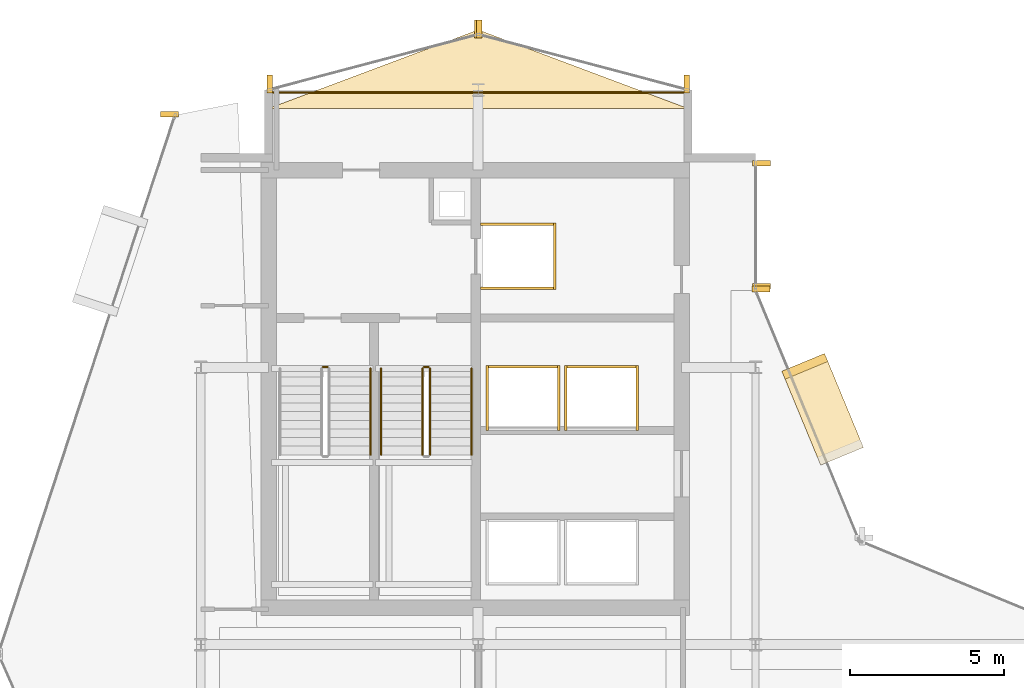
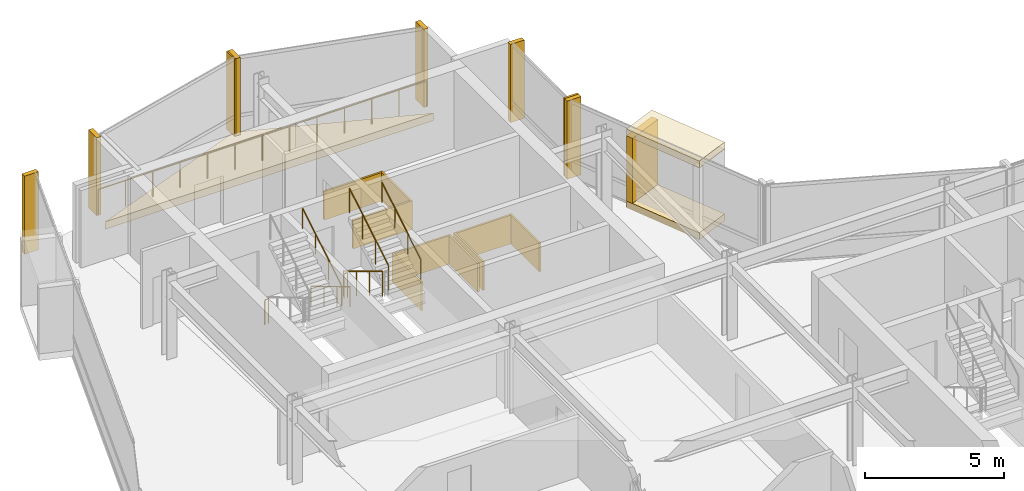
# One storey, part 27 of 27: 21 coverings, 8 railings.
"""IFC4 building model written with IfcOpenShell, lengths in metres."""

from ifc_helpers import new_model, si_unit, direction, frame, origin, origin_2d, place, context, subcontext, project, spatial, polyline, rectangle, circle, outline, extrude, material, layer, layer_set, type_object, element, save


model = new_model("IFC4")

# Units and contexts
model_context = context("Model", 3, precision=1e-05, world=origin(), true_north=direction((0.0, 1.0)))
body_context = subcontext(model_context, "Body", "Model", "MODEL_VIEW")
ifc_project = project(units=[si_unit("LENGTHUNIT", "METRE"), si_unit("AREAUNIT", "SQUARE_METRE"), si_unit("VOLUMEUNIT", "CUBIC_METRE"), si_unit("PLANEANGLEUNIT", "RADIAN"), si_unit("MASSUNIT", "GRAM", prefix="KILO")], contexts=[model_context])

# Site, building, storey
site_placement = place(None, origin())
site = spatial("IfcSite", under=ifc_project, at=site_placement, CompositionType="ELEMENT")
building_placement = place(site_placement, origin())
building = spatial("IfcBuilding", under=site, at=building_placement, Name="Solvaryn Broadcast Tower", CompositionType="ELEMENT")
storey_placement = place(building_placement, frame((0.0, 0.0, 177.89990234375)))
storey = spatial("IfcBuildingStorey", under=building, at=storey_placement, Name="L44", CompositionType="ELEMENT", Elevation=177.89990234375)

# Coverings
ifc_material_1 = material(Name="Fire-Rated Gypsum Shaftwall Liner", Category="concrete")
ifc_layer_1 = layer(ifc_material_1, 0.080078125)
ifc_layer_set_1 = layer_set([ifc_layer_1], Name="CV-SHAFT-LINER")
covering_type_1 = type_object("IfcCoveringType", Name="CV-SHAFT-LINER", PredefinedType="CLADDING", material=ifc_layer_set_1)
for number, where, z_axis, x_axis, name in (
    (1, (19.300048828125, 40.639892578125, 0.0), (0.0, 0.0, 1.0), (1.0, 0.0, 0.0), "L44 FL1 Hoistway Shaft Liner North"),
    (2, (19.300048828125, 38.56005859375, 0.0), (0.0, 0.0, 1.0), (1.0, 0.0, 0.0), "L44 FL1 Hoistway Shaft Liner South"),
):
    element("IfcCovering", number, at=place(storey_placement, frame(where, z_axis=z_axis, x_axis=x_axis)), inside=storey, type_object=covering_type_1, Name=name, PredefinedType="CLADDING", context=body_context, shape_type="SweptSolid", body=[
        extrude(rectangle(XDim=2.4599609375, YDim=0.080078125, at=origin_2d()), origin(), (0.0, 0.0, 1.0), 1.25),
    ])
covering_1_placement = place(storey_placement, frame((20.489990234375, 39.60009765625, 0.0), z_axis=(0.0, 0.0, 1.0), x_axis=(1.0, 0.0, 0.0)))
element("IfcCovering", 3, at=covering_1_placement, inside=storey, type_object=covering_type_1, Name="L44 FL1 Hoistway Shaft Liner East", PredefinedType="CLADDING", context=body_context, shape_type="SweptSolid", body=[
    extrude(rectangle(XDim=0.080078125, YDim=2.159912109375, at=origin_2d()), origin(), (0.0, 0.0, 1.0), 1.25),
])
covering_2_placement = place(storey_placement, frame((19.449951171875, 36.014892578125, 0.0), z_axis=(0.0, 0.0, 1.0), x_axis=(1.0, 0.0, 0.0)))
element("IfcCovering", 4, at=covering_2_placement, inside=storey, type_object=covering_type_1, Name="L44 PH3 Hoistway Shaft Liner North", PredefinedType="CLADDING", context=body_context, shape_type="SweptSolid", body=[
    extrude(rectangle(XDim=2.409912109375, YDim=0.080078125, at=origin_2d()), origin(), (0.0, 0.0, 1.0), 1.25),
])
for number, where, z_axis, x_axis, name in (
    (5, (20.614990234375, 35.0, 0.0), (0.0, 0.0, 1.0), (1.0, 0.0, 0.0), "L44 PH3 Hoistway Shaft Liner East"),
    (6, (18.284912109375, 35.0, 0.0), (0.0, 0.0, 1.0), (1.0, 0.0, 0.0), "L44 PH3 Hoistway Shaft Liner West"),
):
    element("IfcCovering", number, at=place(storey_placement, frame(where, z_axis=z_axis, x_axis=x_axis)), inside=storey, type_object=covering_type_1, Name=name, PredefinedType="CLADDING", context=body_context, shape_type="SweptSolid", body=[
        extrude(rectangle(XDim=0.080078125, YDim=2.110107421875, at=origin_2d()), origin(), (0.0, 0.0, 1.0), 1.25),
    ])
covering_3_placement = place(storey_placement, frame((22.0, 36.014892578125, 0.0), z_axis=(0.0, 0.0, 1.0), x_axis=(1.0, 0.0, 0.0)))
element("IfcCovering", 7, at=covering_3_placement, inside=storey, type_object=covering_type_1, Name="L44 PH4 Hoistway Shaft Liner North", PredefinedType="CLADDING", context=body_context, shape_type="SweptSolid", body=[
    extrude(rectangle(XDim=2.409912109375, YDim=0.080078125, at=origin_2d()), origin(), (0.0, 0.0, 1.0), 1.25),
])
for number, where, z_axis, x_axis, name in (
    (8, (23.1650390625, 35.0, 0.0), (0.0, 0.0, 1.0), (1.0, 0.0, 0.0), "L44 PH4 Hoistway Shaft Liner East"),
    (9, (20.8349609375, 35.0, 0.0), (0.0, 0.0, 1.0), (1.0, 0.0, 0.0), "L44 PH4 Hoistway Shaft Liner West"),
):
    element("IfcCovering", number, at=place(storey_placement, frame(where, z_axis=z_axis, x_axis=x_axis)), inside=storey, type_object=covering_type_1, Name=name, PredefinedType="CLADDING", context=body_context, shape_type="SweptSolid", body=[
        extrude(rectangle(XDim=0.080078125, YDim=2.110107421875, at=origin_2d()), origin(), (0.0, 0.0, 1.0), 1.25),
    ])
ifc_material_2 = material(Name="Glazed Architectural Terracotta Rainscreen Cladding", Category="masonry")
ifc_layer_2 = layer(ifc_material_2, 0.280029296875)
ifc_layer_set_2 = layer_set([ifc_layer_2], Name="CV-TC-CLAD")
covering_type_2 = type_object("IfcCoveringType", Name="CV-TC-CLAD", PredefinedType="CLADDING", material=ifc_layer_set_2)
for number, where, z_axis, x_axis, name in (
    (10, (29.174072265625, 34.636962890625, 3.1298828125), (0.0, 0.0, 1.0), (-0.382683432365, 0.923879532511, 0.0), "L44 Projecting Stone Window Box Hood 5"),
    (11, (29.174072265625, 34.636962890625, -0.009765625), (0.0, 0.0, 1.0), (-0.382683432365, 0.923879532511, 0.0), "L44 Projecting Stone Window Box Sill 5"),
):
    element("IfcCovering", number, at=place(storey_placement, frame(where, z_axis=z_axis, x_axis=x_axis)), inside=storey, type_object=covering_type_2, Name=name, PredefinedType="CLADDING", context=body_context, shape_type="SweptSolid", body=[
        extrude(rectangle(XDim=3.300048828125, YDim=1.5, at=origin_2d()), origin(), (0.0, 0.0, 1.0), 0.300048828125),
    ])
covering_4_placement = place(storey_placement, frame((28.59619140625, 36.031982421875, 0.2802734375), z_axis=(0.0, 0.0, 1.0), x_axis=(-0.382683432365, 0.923879532511, 0.0)))
element("IfcCovering", 12, at=covering_4_placement, inside=storey, type_object=covering_type_2, Name="L44 Projecting Stone Window Box Cheek 5-2", PredefinedType="CLADDING", context=body_context, shape_type="SweptSolid", body=[
    extrude(rectangle(XDim=0.280029296875, YDim=1.5, at=origin_2d()), origin(), (0.0, 0.0, 1.0), 2.860107421875),
])
ifc_material_3 = material(Name="Extruded Architectural Terracotta Fin", Category="masonry")
ifc_layer_3 = layer(ifc_material_3, 0.179931640625)
ifc_layer_set_3 = layer_set([ifc_layer_3], Name="CV-TC-FIN")
covering_type_3 = type_object("IfcCoveringType", Name="CV-TC-FIN", PredefinedType="USERDEFINED", material=ifc_layer_set_3)
for number, where, z_axis, x_axis, name in (
    (13, (7.982666015625, 44.209716796875, 0.000244140625), (0.0, 0.0, 1.0), (1.0, 0.0, 0.0), "L44 Terracotta Vertical Fin FIN-L44-DR1-M00"),
    (14, (27.1875, 42.6201171875, 0.000244140625), (0.0, 0.0, 1.0), (1.0, 0.0, 0.0), "L44 Terracotta Vertical Fin FIN-L44-IV-M00"),
    (15, (27.1875, 38.6298828125, 0.000244140625), (0.0, 0.0, 1.0), (1.0, 0.0, 0.0), "L44 Terracotta Vertical Fin FIN-L44-IV-M01"),
    (16, (27.177978515625, 38.541259765625, 0.000244140625), (0.0, 0.0, 1.0), (1.0, 0.0, 0.0), "L44 Terracotta Vertical Fin FIN-L44-CN2-M01"),
):
    element("IfcCovering", number, at=place(storey_placement, frame(where, z_axis=z_axis, x_axis=x_axis)), inside=storey, type_object=covering_type_3, Name=name, ObjectType="FIN", PredefinedType="USERDEFINED", context=body_context, shape_type="SweptSolid", body=[
        extrude(rectangle(XDim=0.580078125, YDim=0.179931640625, at=origin_2d()), origin(), (0.0, 0.0, 1.0), 3.419921875),
    ])
for number, where, z_axis, x_axis, name in (
    (17, (24.77099609375, 45.1953125, 0.000244140625), (0.0, 0.0, 1.0), (1.0, 0.0, 0.0), "L44 Terracotta Vertical Fin FIN-L44-NT1-M00"),
    (18, (18.029052734375, 46.979736328125, 0.000244140625), (0.0, 0.0, 1.0), (1.0, 0.0, 0.0), "L44 Terracotta Vertical Fin FIN-L44-NT1-M01"),
    (19, (17.970947265625, 46.979736328125, 0.000244140625), (0.0, 0.0, 1.0), (1.0, 0.0, 0.0), "L44 Terracotta Vertical Fin FIN-L44-NT2-M00"),
    (20, (11.22900390625, 45.1953125, 0.000244140625), (0.0, 0.0, 1.0), (1.0, 0.0, 0.0), "L44 Terracotta Vertical Fin FIN-L44-NT2-M01"),
):
    element("IfcCovering", number, at=place(storey_placement, frame(where, z_axis=z_axis, x_axis=x_axis)), inside=storey, type_object=covering_type_3, Name=name, ObjectType="FIN", PredefinedType="USERDEFINED", context=body_context, shape_type="SweptSolid", body=[
        extrude(rectangle(XDim=0.179931640625, YDim=0.580078125, at=origin_2d()), origin(), (0.0, 0.0, 1.0), 3.419921875),
    ])
ifc_material_4 = material(Name="Sculpted Architectural Terracotta Wave Fascia", Category="masonry")
ifc_layer_4 = layer(ifc_material_4, 0.340087890625)
ifc_layer_set_4 = layer_set([ifc_layer_4], Name="CV-WAVE-TRAY")
covering_type_4 = type_object("IfcCoveringType", Name="CV-WAVE-TRAY", PredefinedType="CLADDING", material=ifc_layer_set_4)
covering_5_placement = place(storey_placement, frame((0.0, 0.0, -0.2998046875)))
element("IfcCovering", 21, at=covering_5_placement, inside=storey, type_object=covering_type_4, Name="L44 North Curved Wing Deck", PredefinedType="CLADDING", context=body_context, shape_type="SweptSolid", body=[
    extrude(outline(polyline([(11.199951171875, 44.39990234375), (24.800048828125, 44.39990234375), (18.0, 46.949951171875), (11.199951171875, 44.39990234375)])), origin(), (0.0, 0.0, 1.0), 0.329833984375),
])

# Railings
ifc_material_5 = material(Name="Painted Steel Stair Well Guard", Category="steel")
railing_type_1 = type_object("IfcRailingType", Name="RL-STAIR-GUARD", PredefinedType="BALUSTRADE", material=ifc_material_5)
railing_1_placement = place(storey_placement, frame((12.9599609375, 36.010009765625, 0.0)))
element("IfcRailing", 22, at=railing_1_placement, inside=storey, type_object=railing_type_1, Name="L44 ST1 stair guard 4", PredefinedType="BALUSTRADE", context=body_context, shape_type="SweptSolid", body=[
    extrude(circle(Radius=0.02392578125, at=origin_2d()), frame((0.0, 0.0, 1.076171875), z_axis=(1.0, 0.0, 0.0), x_axis=(0.0, 1.0, 0.0)), (0.0, 0.0, 1.0), 0.150146484375),
    extrude(circle(Radius=0.02099609375, at=origin_2d()), origin(), (0.0, 0.0, 1.0), 1.052001953125),
    extrude(circle(Radius=0.02099609375, at=origin_2d()), frame((0.150146484375, 0.0, 0.0)), (0.0, 0.0, 1.0), 1.052001953125),
])
railing_2_placement = place(storey_placement, frame((16.18994140625, 35.9599609375, 0.168212890625)))
element("IfcRailing", 23, at=railing_2_placement, inside=storey, type_object=railing_type_1, Name="L44 ST2 stair guard 1", PredefinedType="BALUSTRADE", context=body_context, shape_type="SweptSolid", body=[
    extrude(circle(Radius=0.02392578125, at=origin_2d()), frame((0.0, 0.0, 1.076171875), z_axis=(0.0, -0.857242210791, 0.514913383045), x_axis=(1.0, 0.0, 0.0)), (0.0, 0.0, 1.0), 3.266357421875),
    extrude(circle(Radius=0.02099609375, at=origin_2d()), origin(), (0.0, 0.0, 1.0), 1.052001953125),
    extrude(circle(Radius=0.02099609375, at=origin_2d()), frame((0.0, -0.933349609375, 0.560546875)), (0.0, 0.0, 1.0), 1.052001953125),
    extrude(circle(Radius=0.02099609375, at=origin_2d()), frame((0.0, -1.86669921875, 1.121337890625)), (0.0, 0.0, 1.0), 1.052001953125),
    extrude(circle(Radius=0.02099609375, at=origin_2d()), frame((0.0, -2.800048828125, 1.681884765625)), (0.0, 0.0, 1.0), 1.052001953125),
])
railing_3_placement = place(storey_placement, frame((16.43994140625, 33.159912109375, 2.018310546875)))
element("IfcRailing", 24, at=railing_3_placement, inside=storey, type_object=railing_type_1, Name="L44 ST2 stair guard 3", PredefinedType="BALUSTRADE", context=body_context, shape_type="SweptSolid", body=[
    extrude(circle(Radius=0.02392578125, at=origin_2d()), frame((0.0, 0.0, 1.076171875), z_axis=(0.0, 0.857242210791, 0.514913383045), x_axis=(-1.0, 0.0, 0.0)), (0.0, 0.0, 1.0), 3.266357421875),
    extrude(circle(Radius=0.02099609375, at=origin_2d()), origin(), (0.0, 0.0, 1.0), 1.052001953125),
    extrude(circle(Radius=0.02099609375, at=origin_2d()), frame((0.0, 0.933349609375, 0.560546875)), (0.0, 0.0, 1.0), 1.052001953125),
    extrude(circle(Radius=0.02099609375, at=origin_2d()), frame((0.0, 1.86669921875, 1.121337890625)), (0.0, 0.0, 1.0), 1.052001953125),
    extrude(circle(Radius=0.02099609375, at=origin_2d()), frame((0.0, 2.800048828125, 1.681884765625)), (0.0, 0.0, 1.0), 1.052001953125),
])
railing_4_placement = place(storey_placement, frame((16.239990234375, 36.010009765625, 0.0)))
element("IfcRailing", 25, at=railing_4_placement, inside=storey, type_object=railing_type_1, Name="L44 ST2 stair guard 4", PredefinedType="BALUSTRADE", context=body_context, shape_type="SweptSolid", body=[
    extrude(circle(Radius=0.02392578125, at=origin_2d()), frame((0.0, 0.0, 1.076171875), z_axis=(1.0, 0.0, 0.0), x_axis=(0.0, 1.0, 0.0)), (0.0, 0.0, 1.0), 0.14990234375),
    extrude(circle(Radius=0.02099609375, at=origin_2d()), origin(), (0.0, 0.0, 1.0), 1.052001953125),
    extrude(circle(Radius=0.02099609375, at=origin_2d()), frame((0.14990234375, 0.0, 0.0)), (0.0, 0.0, 1.0), 1.052001953125),
])
ifc_material_6 = material(Name="Brushed Stainless Steel Tubular Handrail", Category="steel")
railing_type_2 = type_object("IfcRailingType", Name="RL-STAIR-HANDRAIL", PredefinedType="HANDRAIL", material=ifc_material_6)
railing_5_placement = place(storey_placement, frame((14.5, 33.159912109375, 2.018310546875)))
element("IfcRailing", 26, at=railing_5_placement, inside=storey, type_object=railing_type_2, Name="L44 ST1 stair handrail 2", PredefinedType="HANDRAIL", context=body_context, shape_type="SweptSolid", body=[
    extrude(circle(Radius=0.02392578125, at=origin_2d()), frame((0.0, 0.0, 0.8759765625), z_axis=(0.0, 0.857242210791, 0.514913383045), x_axis=(-1.0, 0.0, 0.0)), (0.0, 0.0, 1.0), 3.266357421875),
    extrude(circle(Radius=0.02099609375, at=origin_2d()), origin(), (0.0, 0.0, 1.0), 0.851806640625),
    extrude(circle(Radius=0.02099609375, at=origin_2d()), frame((0.0, 0.933349609375, 0.560546875)), (0.0, 0.0, 1.0), 0.851806640625),
    extrude(circle(Radius=0.02099609375, at=origin_2d()), frame((0.0, 1.86669921875, 1.121337890625)), (0.0, 0.0, 1.0), 0.851806640625),
    extrude(circle(Radius=0.02099609375, at=origin_2d()), frame((0.0, 2.800048828125, 1.681884765625)), (0.0, 0.0, 1.0), 0.851806640625),
])
railing_6_placement = place(storey_placement, frame((14.85009765625, 35.9599609375, 0.168212890625)))
element("IfcRailing", 27, at=railing_6_placement, inside=storey, type_object=railing_type_2, Name="L44 ST2 stair handrail 1", PredefinedType="HANDRAIL", context=body_context, shape_type="SweptSolid", body=[
    extrude(circle(Radius=0.02392578125, at=origin_2d()), frame((0.0, 0.0, 0.8759765625), z_axis=(0.0, -0.857242210791, 0.514913383045), x_axis=(1.0, 0.0, 0.0)), (0.0, 0.0, 1.0), 3.266357421875),
    extrude(circle(Radius=0.02099609375, at=origin_2d()), origin(), (0.0, 0.0, 1.0), 0.851806640625),
    extrude(circle(Radius=0.02099609375, at=origin_2d()), frame((0.0, -0.933349609375, 0.560546875)), (0.0, 0.0, 1.0), 0.851806640625),
    extrude(circle(Radius=0.02099609375, at=origin_2d()), frame((0.0, -1.86669921875, 1.121337890625)), (0.0, 0.0, 1.0), 0.851806640625),
    extrude(circle(Radius=0.02099609375, at=origin_2d()), frame((0.0, -2.800048828125, 1.681884765625)), (0.0, 0.0, 1.0), 0.851806640625),
])
railing_7_placement = place(storey_placement, frame((17.780029296875, 33.159912109375, 2.018310546875)))
element("IfcRailing", 28, at=railing_7_placement, inside=storey, type_object=railing_type_2, Name="L44 ST2 stair handrail 2", PredefinedType="HANDRAIL", context=body_context, shape_type="SweptSolid", body=[
    extrude(circle(Radius=0.02392578125, at=origin_2d()), frame((0.0, 0.0, 0.8759765625), z_axis=(0.0, 0.857242210791, 0.514913383045), x_axis=(-1.0, 0.0, 0.0)), (0.0, 0.0, 1.0), 3.266357421875),
    extrude(circle(Radius=0.02099609375, at=origin_2d()), origin(), (0.0, 0.0, 1.0), 0.851806640625),
    extrude(circle(Radius=0.02099609375, at=origin_2d()), frame((0.0, 0.933349609375, 0.560546875)), (0.0, 0.0, 1.0), 0.851806640625),
    extrude(circle(Radius=0.02099609375, at=origin_2d()), frame((0.0, 1.86669921875, 1.121337890625)), (0.0, 0.0, 1.0), 0.851806640625),
    extrude(circle(Radius=0.02099609375, at=origin_2d()), frame((0.0, 2.800048828125, 1.681884765625)), (0.0, 0.0, 1.0), 0.851806640625),
])
ifc_material_7 = material(Name="Stainless Steel and Laminated Glass Guard", Category="steel")
railing_type_3 = type_object("IfcRailingType", Name="RL-TER-1150", PredefinedType="BALUSTRADE", material=ifc_material_7)
railing_8_placement = place(storey_placement, frame((11.199951171875, 44.919921875, 0.0)))
element("IfcRailing", 29, at=railing_8_placement, inside=storey, type_object=railing_type_3, Name="L44 North Wing Spandrel Edge Guard", PredefinedType="BALUSTRADE", context=body_context, shape_type="SweptSolid", body=[
    extrude(circle(Radius=0.02392578125, at=origin_2d()), frame((0.0, 0.0, 1.1259765625), z_axis=(1.0, 0.0, 0.0), x_axis=(0.0, 1.0, 0.0)), (0.0, 0.0, 1.0), 13.60009765625),
    extrude(circle(Radius=0.02099609375, at=origin_2d()), origin(), (0.0, 0.0, 1.0), 1.101806640625),
    extrude(circle(Radius=0.02099609375, at=origin_2d()), frame((1.13330078125, 0.0, 0.0)), (0.0, 0.0, 1.0), 1.101806640625),
    extrude(circle(Radius=0.02099609375, at=origin_2d()), frame((2.2666015625, 0.0, 0.0)), (0.0, 0.0, 1.0), 1.101806640625),
    extrude(circle(Radius=0.02099609375, at=origin_2d()), frame((3.39990234375, 0.0, 0.0)), (0.0, 0.0, 1.0), 1.101806640625),
    extrude(circle(Radius=0.02099609375, at=origin_2d()), frame((4.533447265625, 0.0, 0.0)), (0.0, 0.0, 1.0), 1.101806640625),
    extrude(circle(Radius=0.02099609375, at=origin_2d()), frame((5.666748046875, 0.0, 0.0)), (0.0, 0.0, 1.0), 1.101806640625),
    extrude(circle(Radius=0.02099609375, at=origin_2d()), frame((6.800048828125, 0.0, 0.0)), (0.0, 0.0, 1.0), 1.101806640625),
    extrude(circle(Radius=0.02099609375, at=origin_2d()), frame((7.933349609375, 0.0, 0.0)), (0.0, 0.0, 1.0), 1.101806640625),
    extrude(circle(Radius=0.02099609375, at=origin_2d()), frame((9.066650390625, 0.0, 0.0)), (0.0, 0.0, 1.0), 1.101806640625),
    extrude(circle(Radius=0.02099609375, at=origin_2d()), frame((10.2001953125, 0.0, 0.0)), (0.0, 0.0, 1.0), 1.101806640625),
    extrude(circle(Radius=0.02099609375, at=origin_2d()), frame((11.33349609375, 0.0, 0.0)), (0.0, 0.0, 1.0), 1.101806640625),
    extrude(circle(Radius=0.02099609375, at=origin_2d()), frame((12.466796875, 0.0, 0.0)), (0.0, 0.0, 1.0), 1.101806640625),
    extrude(circle(Radius=0.02099609375, at=origin_2d()), frame((13.60009765625, 0.0, 0.0)), (0.0, 0.0, 1.0), 1.101806640625),
])

save(model, "model.ifc")
